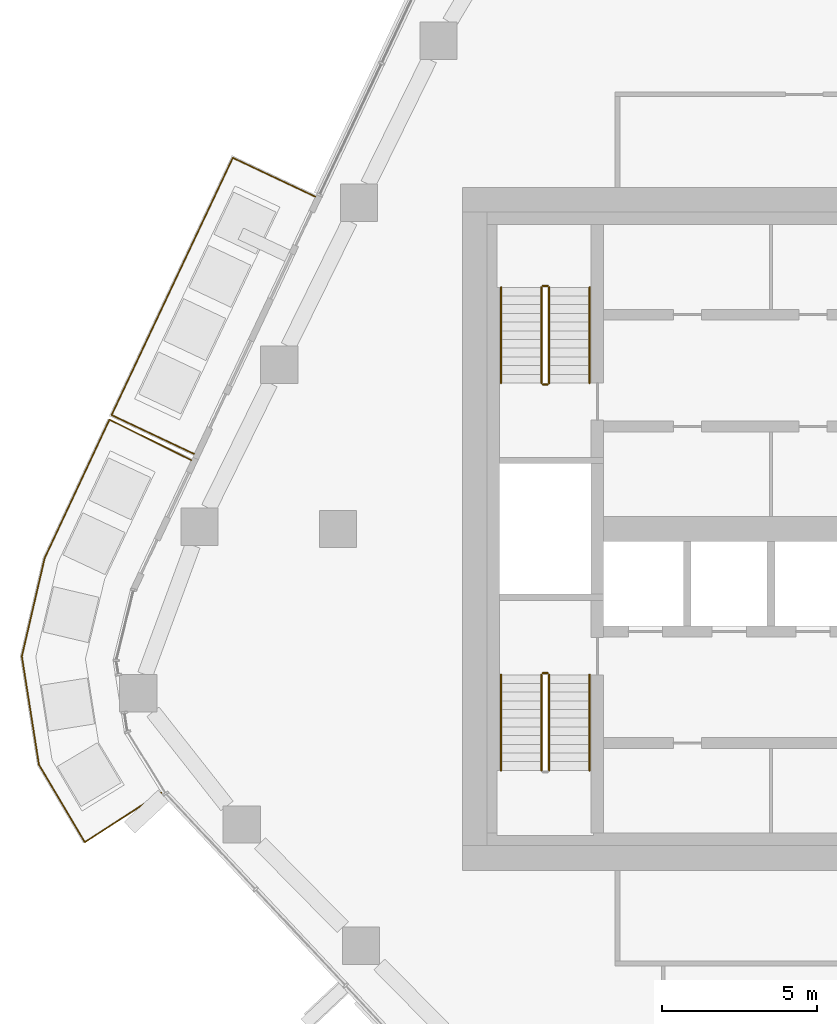
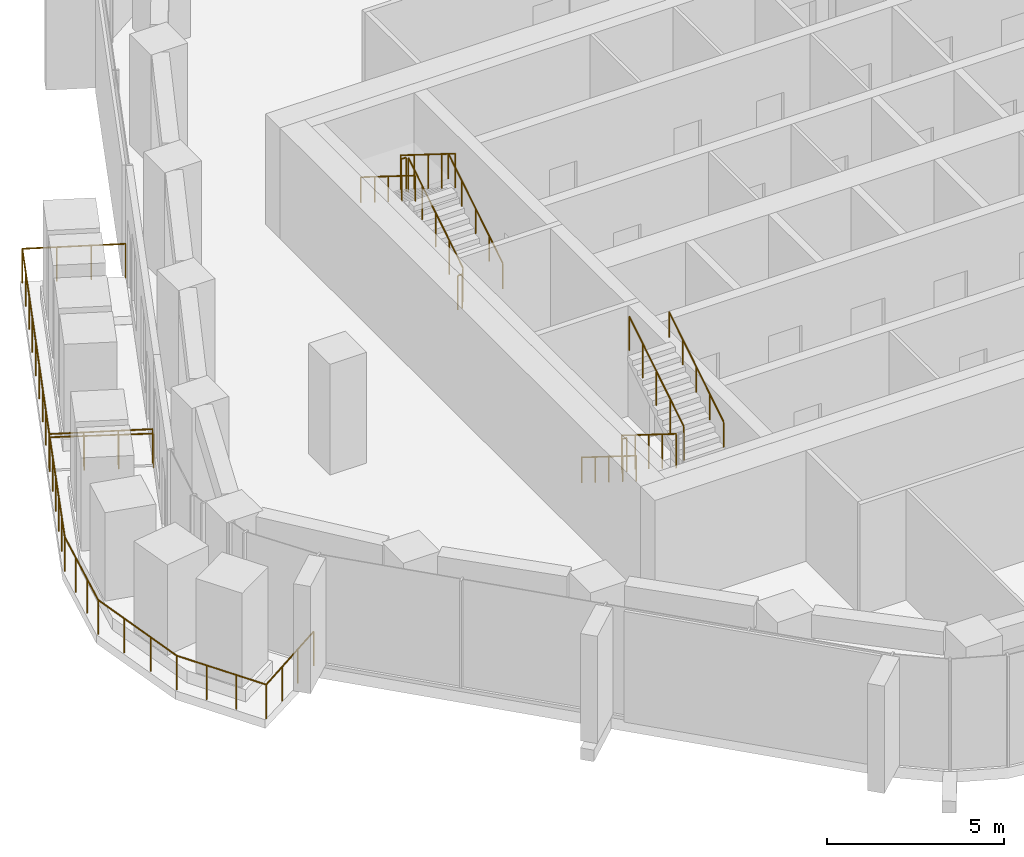
# One storey, part 16 of 18: 13 railings.
"""IFC4 building model written with IfcOpenShell, lengths in metres."""

from ifc_helpers import new_model, si_unit, direction, frame, origin, origin_2d, place, context, subcontext, project, spatial, circle, extrude, material, type_object, element, save


model = new_model("IFC4")

# Units and contexts
model_context = context("Model", 3, precision=1e-05, world=origin(), true_north=direction((0.0, 1.0)))
body_context = subcontext(model_context, "Body", "Model", "MODEL_VIEW")
ifc_project = project(units=[si_unit("LENGTHUNIT", "METRE"), si_unit("AREAUNIT", "SQUARE_METRE"), si_unit("VOLUMEUNIT", "CUBIC_METRE"), si_unit("PLANEANGLEUNIT", "RADIAN"), si_unit("MASSUNIT", "GRAM", prefix="KILO")], contexts=[model_context])

# Site, building, storey
site_placement = place(None, origin())
site = spatial("IfcSite", under=ifc_project, at=site_placement, CompositionType="ELEMENT")
building_placement = place(site_placement, origin())
building = spatial("IfcBuilding", under=site, at=building_placement, Name="Dongbaek Canopy Tower", CompositionType="ELEMENT")
storey_placement = place(building_placement, frame((0.0, 0.0, 162.800048828125)))
storey = spatial("IfcBuildingStorey", under=building, at=storey_placement, Name="L35", CompositionType="ELEMENT", Elevation=162.800048828125)

# Railings
ifc_material_1 = material(Name="Stainless steel", Category="steel")
railing_type_1 = type_object("IfcRailingType", Name="Balcony balustrade 1200", PredefinedType="BALUSTRADE", material=ifc_material_1)
railing_1_placement = place(storey_placement, frame((-18.732666015625, 10.700439453125, 0.0)))
element("IfcRailing", 1, at=railing_1_placement, inside=storey, type_object=railing_type_1, Name="Balcony guard L35 1", PredefinedType="BALUSTRADE", context=body_context, shape_type="SweptSolid", body=[
    extrude(circle(Radius=0.02392578125, at=origin_2d()), frame((0.0, 0.0, 1.17578125), z_axis=(-0.90463040543, 0.426196937544, 0.0), x_axis=(-0.426196937544, -0.90463040543, 0.0)), (0.0, 0.0, 1.0), 2.939697265625),
    extrude(circle(Radius=0.02392578125, at=origin_2d()), frame((-2.659423828125, 1.2529296875, 1.17578125), z_axis=(-0.426229519142, -0.904615054602, 0.0), x_axis=(0.904615054602, -0.426229519142, 0.0)), (0.0, 0.0, 1.0), 9.16064453125),
    extrude(circle(Radius=0.02392578125, at=origin_2d()), frame((-6.56396484375, -7.033935546875, 1.17578125), z_axis=(0.904613472743, -0.426232876408, 0.0), x_axis=(0.426232876408, 0.904613472743, 0.0)), (0.0, 0.0, 1.0), 2.940185546875),
    extrude(circle(Radius=0.02099609375, at=origin_2d()), origin(), (0.0, 0.0, 1.0), 1.15185546875),
    extrude(circle(Radius=0.02099609375, at=origin_2d()), frame((-0.886474609375, 0.417724609375, 0.0)), (0.0, 0.0, 1.0), 1.15185546875),
    extrude(circle(Radius=0.02099609375, at=origin_2d()), frame((-1.77294921875, 0.835205078125, 0.0)), (0.0, 0.0, 1.0), 1.15185546875),
    extrude(circle(Radius=0.02099609375, at=origin_2d()), frame((-2.659423828125, 1.2529296875, 0.0)), (0.0, 0.0, 1.0), 1.15185546875),
    extrude(circle(Radius=0.02099609375, at=origin_2d()), frame((-3.1474609375, 0.217041015625, 0.0)), (0.0, 0.0, 1.0), 1.15185546875),
    extrude(circle(Radius=0.02099609375, at=origin_2d()), frame((-3.635498046875, -0.81884765625, 0.0)), (0.0, 0.0, 1.0), 1.15185546875),
    extrude(circle(Radius=0.02099609375, at=origin_2d()), frame((-4.12353515625, -1.854736328125, 0.0)), (0.0, 0.0, 1.0), 1.15185546875),
    extrude(circle(Radius=0.02099609375, at=origin_2d()), frame((-4.61181640625, -2.890625, 0.0)), (0.0, 0.0, 1.0), 1.15185546875),
    extrude(circle(Radius=0.02099609375, at=origin_2d()), frame((-5.099853515625, -3.92626953125, 0.0)), (0.0, 0.0, 1.0), 1.15185546875),
    extrude(circle(Radius=0.02099609375, at=origin_2d()), frame((-5.587890625, -4.962158203125, 0.0)), (0.0, 0.0, 1.0), 1.15185546875),
    extrude(circle(Radius=0.02099609375, at=origin_2d()), frame((-6.075927734375, -5.998046875, 0.0)), (0.0, 0.0, 1.0), 1.15185546875),
    extrude(circle(Radius=0.02099609375, at=origin_2d()), frame((-6.56396484375, -7.033935546875, 0.0)), (0.0, 0.0, 1.0), 1.15185546875),
    extrude(circle(Radius=0.02099609375, at=origin_2d()), frame((-5.677490234375, -7.45166015625, 0.0)), (0.0, 0.0, 1.0), 1.15185546875),
    extrude(circle(Radius=0.02099609375, at=origin_2d()), frame((-4.790771484375, -7.869384765625, 0.0)), (0.0, 0.0, 1.0), 1.15185546875),
    extrude(circle(Radius=0.02099609375, at=origin_2d()), frame((-3.904296875, -8.287109375, 0.0)), (0.0, 0.0, 1.0), 1.15185546875),
])
railing_2_placement = place(storey_placement, frame((-22.730712890625, 2.21435546875, 0.0)))
element("IfcRailing", 2, at=railing_2_placement, inside=storey, type_object=railing_type_1, Name="Balcony guard L35 3", PredefinedType="BALUSTRADE", context=body_context, shape_type="SweptSolid", body=[
    extrude(circle(Radius=0.02392578125, at=origin_2d()), frame((0.0, 0.0, 1.17578125), z_axis=(-0.895735106679, 0.444588144987, 0.0), x_axis=(-0.444588144987, -0.895735106679, 0.0)), (0.0, 0.0, 1.0), 2.940673828125),
    extrude(circle(Radius=0.02392578125, at=origin_2d()), frame((-2.634033203125, 1.307373046875, 1.17578125), z_axis=(-0.423516750842, -0.905888272226, 0.0), x_axis=(0.905888272226, -0.423516750842, 0.0)), (0.0, 0.0, 1.0), 4.93212890625),
    extrude(circle(Radius=0.02392578125, at=origin_2d()), frame((-4.722900390625, -3.16064453125, 1.17578125), z_axis=(-0.226085073911, -0.974107560465, 0.0), x_axis=(0.974107560465, -0.226085073911, 0.0)), (0.0, 0.0, 1.0), 3.243896484375),
    extrude(circle(Radius=0.02392578125, at=origin_2d()), frame((-5.456298828125, -6.320556640625, 1.17578125), z_axis=(0.155707044404, -0.987803278149, 0.0), x_axis=(0.987803278149, 0.155707044404, 0.0)), (0.0, 0.0, 1.0), 3.532470703125),
    extrude(circle(Radius=0.02392578125, at=origin_2d()), frame((-4.90625, -9.81005859375, 1.17578125), z_axis=(0.509092024836, -0.860712094866, 0.0), x_axis=(0.860712094866, 0.509092024836, 0.0)), (0.0, 0.0, 1.0), 2.90234375),
    extrude(circle(Radius=0.02392578125, at=origin_2d()), frame((-3.4287109375, -12.30810546875, 1.17578125), z_axis=(0.839434258494, 0.543461245782, 0.0), x_axis=(-0.543461245782, 0.839434258494, 0.0)), (0.0, 0.0, 1.0), 2.940673828125),
    extrude(circle(Radius=0.02099609375, at=origin_2d()), origin(), (0.0, 0.0, 1.0), 1.15185546875),
    extrude(circle(Radius=0.02099609375, at=origin_2d()), frame((-0.8779296875, 0.435791015625, 0.0)), (0.0, 0.0, 1.0), 1.15185546875),
    extrude(circle(Radius=0.02099609375, at=origin_2d()), frame((-1.756103515625, 0.87158203125, 0.0)), (0.0, 0.0, 1.0), 1.15185546875),
    extrude(circle(Radius=0.02099609375, at=origin_2d()), frame((-2.634033203125, 1.307373046875, 0.0)), (0.0, 0.0, 1.0), 1.15185546875),
    extrude(circle(Radius=0.02099609375, at=origin_2d()), frame((-3.0517578125, 0.413818359375, 0.0)), (0.0, 0.0, 1.0), 1.15185546875),
    extrude(circle(Radius=0.02099609375, at=origin_2d()), frame((-3.469482421875, -0.479736328125, 0.0)), (0.0, 0.0, 1.0), 1.15185546875),
    extrude(circle(Radius=0.02099609375, at=origin_2d()), frame((-3.887451171875, -1.37353515625, 0.0)), (0.0, 0.0, 1.0), 1.15185546875),
    extrude(circle(Radius=0.02099609375, at=origin_2d()), frame((-4.30517578125, -2.26708984375, 0.0)), (0.0, 0.0, 1.0), 1.15185546875),
    extrude(circle(Radius=0.02099609375, at=origin_2d()), frame((-4.722900390625, -3.16064453125, 0.0)), (0.0, 0.0, 1.0), 1.15185546875),
    extrude(circle(Radius=0.02099609375, at=origin_2d()), frame((-4.96728515625, -4.2138671875, 0.0)), (0.0, 0.0, 1.0), 1.15185546875),
    extrude(circle(Radius=0.02099609375, at=origin_2d()), frame((-5.2119140625, -5.267333984375, 0.0)), (0.0, 0.0, 1.0), 1.15185546875),
    extrude(circle(Radius=0.02099609375, at=origin_2d()), frame((-5.456298828125, -6.320556640625, 0.0)), (0.0, 0.0, 1.0), 1.15185546875),
    extrude(circle(Radius=0.02099609375, at=origin_2d()), frame((-5.27294921875, -7.483642578125, 0.0)), (0.0, 0.0, 1.0), 1.15185546875),
    extrude(circle(Radius=0.02099609375, at=origin_2d()), frame((-5.089599609375, -8.64697265625, 0.0)), (0.0, 0.0, 1.0), 1.15185546875),
    extrude(circle(Radius=0.02099609375, at=origin_2d()), frame((-4.90625, -9.81005859375, 0.0)), (0.0, 0.0, 1.0), 1.15185546875),
    extrude(circle(Radius=0.02099609375, at=origin_2d()), frame((-4.413818359375, -10.642822265625, 0.0)), (0.0, 0.0, 1.0), 1.15185546875),
    extrude(circle(Radius=0.02099609375, at=origin_2d()), frame((-3.921142578125, -11.475341796875, 0.0)), (0.0, 0.0, 1.0), 1.15185546875),
    extrude(circle(Radius=0.02099609375, at=origin_2d()), frame((-3.4287109375, -12.30810546875, 0.0)), (0.0, 0.0, 1.0), 1.15185546875),
    extrude(circle(Radius=0.02099609375, at=origin_2d()), frame((-2.60595703125, -11.775390625, 0.0)), (0.0, 0.0, 1.0), 1.15185546875),
    extrude(circle(Radius=0.02099609375, at=origin_2d()), frame((-1.782958984375, -11.24267578125, 0.0)), (0.0, 0.0, 1.0), 1.15185546875),
    extrude(circle(Radius=0.02099609375, at=origin_2d()), frame((-0.960205078125, -10.7099609375, 0.0)), (0.0, 0.0, 1.0), 1.15185546875),
])
ifc_material_2 = material(Name="Stainless steel tube and balusters", Category="steel")
railing_type_2 = type_object("IfcRailingType", Name="Stair guard 1200", PredefinedType="GUARDRAIL", material=ifc_material_2)
railing_3_placement = place(storey_placement, frame((-11.199951171875, 4.699951171875, 0.175048828125)))
element("IfcRailing", 3, at=railing_3_placement, inside=storey, type_object=railing_type_2, Name="L35 ST-C stair guard 1", PredefinedType="GUARDRAIL", context=body_context, shape_type="SweptSolid", body=[
    extrude(circle(Radius=0.02392578125, at=origin_2d()), frame((0.0, 0.0, 1.17578125), z_axis=(0.0, 0.848028513186, 0.529950602248), x_axis=(-1.0, 0.0, 0.0)), (0.0, 0.0, 1.0), 3.632080078125),
    extrude(circle(Radius=0.02099609375, at=origin_2d()), origin(), (0.0, 0.0, 1.0), 1.15185546875),
    extrude(circle(Radius=0.02099609375, at=origin_2d()), frame((0.0, 0.77001953125, 0.481201171875)), (0.0, 0.0, 1.0), 1.15185546875),
    extrude(circle(Radius=0.02099609375, at=origin_2d()), frame((0.0, 1.5400390625, 0.96240234375)), (0.0, 0.0, 1.0), 1.15185546875),
    extrude(circle(Radius=0.02099609375, at=origin_2d()), frame((0.0, 2.31005859375, 1.443603515625)), (0.0, 0.0, 1.0), 1.15185546875),
    extrude(circle(Radius=0.02099609375, at=origin_2d()), frame((0.0, 3.080078125, 1.9248046875)), (0.0, 0.0, 1.0), 1.15185546875),
])
railing_4_placement = place(storey_placement, frame((-11.25, 7.830078125, 2.099853515625)))
element("IfcRailing", 4, at=railing_4_placement, inside=storey, type_object=railing_type_2, Name="L35 ST-C stair guard 2", PredefinedType="GUARDRAIL", context=body_context, shape_type="SweptSolid", body=[
    extrude(circle(Radius=0.02392578125, at=origin_2d()), frame((0.0, 0.0, 1.17578125), z_axis=(-1.0, 0.0, 0.0), x_axis=(0.0, -1.0, 0.0)), (0.0, 0.0, 1.0), 0.14990234375),
    extrude(circle(Radius=0.02099609375, at=origin_2d()), origin(), (0.0, 0.0, 1.0), 1.15185546875),
    extrude(circle(Radius=0.02099609375, at=origin_2d()), frame((-0.14990234375, 0.0, 0.0)), (0.0, 0.0, 1.0), 1.15185546875),
])
railing_5_placement = place(storey_placement, frame((-11.449951171875, 7.780029296875, 2.27490234375)))
element("IfcRailing", 5, at=railing_5_placement, inside=storey, type_object=railing_type_2, Name="L35 ST-C stair guard 3", PredefinedType="GUARDRAIL", context=body_context, shape_type="SweptSolid", body=[
    extrude(circle(Radius=0.02392578125, at=origin_2d()), frame((0.0, 0.0, 1.17578125), z_axis=(0.0, -0.847998304005, 0.529998940003), x_axis=(1.0, 0.0, 0.0)), (0.0, 0.0, 1.0), 3.632080078125),
    extrude(circle(Radius=0.02099609375, at=origin_2d()), origin(), (0.0, 0.0, 1.0), 1.15185546875),
    extrude(circle(Radius=0.02099609375, at=origin_2d()), frame((0.0, -0.77001953125, 0.481201171875)), (0.0, 0.0, 1.0), 1.15185546875),
    extrude(circle(Radius=0.02099609375, at=origin_2d()), frame((0.0, -1.5400390625, 0.96240234375)), (0.0, 0.0, 1.0), 1.15185546875),
    extrude(circle(Radius=0.02099609375, at=origin_2d()), frame((0.0, -2.31005859375, 1.44384765625)), (0.0, 0.0, 1.0), 1.15185546875),
    extrude(circle(Radius=0.02099609375, at=origin_2d()), frame((0.0, -3.080078125, 1.925048828125)), (0.0, 0.0, 1.0), 1.15185546875),
])
railing_6_placement = place(storey_placement, frame((-11.25, 4.64990234375, 0.0)))
element("IfcRailing", 6, at=railing_6_placement, inside=storey, type_object=railing_type_2, Name="L35 ST-C stair guard 4", PredefinedType="GUARDRAIL", context=body_context, shape_type="SweptSolid", body=[
    extrude(circle(Radius=0.02392578125, at=origin_2d()), frame((0.0, 0.0, 1.17578125), z_axis=(-1.0, 0.0, 0.0), x_axis=(0.0, -1.0, 0.0)), (0.0, 0.0, 1.0), 0.14990234375),
    extrude(circle(Radius=0.02099609375, at=origin_2d()), origin(), (0.0, 0.0, 1.0), 1.15185546875),
    extrude(circle(Radius=0.02099609375, at=origin_2d()), frame((-0.14990234375, 0.0, 0.0)), (0.0, 0.0, 1.0), 1.15185546875),
])
railing_7_placement = place(storey_placement, frame((-11.449951171875, -4.699951171875, 0.175048828125)))
element("IfcRailing", 7, at=railing_7_placement, inside=storey, type_object=railing_type_2, Name="L35 ST-D stair guard 1", PredefinedType="GUARDRAIL", context=body_context, shape_type="SweptSolid", body=[
    extrude(circle(Radius=0.02392578125, at=origin_2d()), frame((0.0, 0.0, 1.17578125), z_axis=(0.0, -0.848028513186, 0.529950602248), x_axis=(1.0, 0.0, 0.0)), (0.0, 0.0, 1.0), 3.632080078125),
    extrude(circle(Radius=0.02099609375, at=origin_2d()), origin(), (0.0, 0.0, 1.0), 1.15185546875),
    extrude(circle(Radius=0.02099609375, at=origin_2d()), frame((0.0, -0.77001953125, 0.481201171875)), (0.0, 0.0, 1.0), 1.15185546875),
    extrude(circle(Radius=0.02099609375, at=origin_2d()), frame((0.0, -1.5400390625, 0.96240234375)), (0.0, 0.0, 1.0), 1.15185546875),
    extrude(circle(Radius=0.02099609375, at=origin_2d()), frame((0.0, -2.31005859375, 1.443603515625)), (0.0, 0.0, 1.0), 1.15185546875),
    extrude(circle(Radius=0.02099609375, at=origin_2d()), frame((0.0, -3.080078125, 1.9248046875)), (0.0, 0.0, 1.0), 1.15185546875),
])
railing_8_placement = place(storey_placement, frame((-11.199951171875, -7.780029296875, 2.27490234375)))
element("IfcRailing", 8, at=railing_8_placement, inside=storey, type_object=railing_type_2, Name="L35 ST-D stair guard 3", PredefinedType="GUARDRAIL", context=body_context, shape_type="SweptSolid", body=[
    extrude(circle(Radius=0.02392578125, at=origin_2d()), frame((0.0, 0.0, 1.17578125), z_axis=(0.0, 0.847998304005, 0.529998940003), x_axis=(-1.0, 0.0, 0.0)), (0.0, 0.0, 1.0), 3.632080078125),
    extrude(circle(Radius=0.02099609375, at=origin_2d()), origin(), (0.0, 0.0, 1.0), 1.15185546875),
    extrude(circle(Radius=0.02099609375, at=origin_2d()), frame((0.0, 0.77001953125, 0.481201171875)), (0.0, 0.0, 1.0), 1.15185546875),
    extrude(circle(Radius=0.02099609375, at=origin_2d()), frame((0.0, 1.5400390625, 0.96240234375)), (0.0, 0.0, 1.0), 1.15185546875),
    extrude(circle(Radius=0.02099609375, at=origin_2d()), frame((0.0, 2.31005859375, 1.44384765625)), (0.0, 0.0, 1.0), 1.15185546875),
    extrude(circle(Radius=0.02099609375, at=origin_2d()), frame((0.0, 3.080078125, 1.925048828125)), (0.0, 0.0, 1.0), 1.15185546875),
])
railing_9_placement = place(storey_placement, frame((-11.39990234375, -4.64990234375, 0.0)))
element("IfcRailing", 9, at=railing_9_placement, inside=storey, type_object=railing_type_2, Name="L35 ST-D stair guard 4", PredefinedType="GUARDRAIL", context=body_context, shape_type="SweptSolid", body=[
    extrude(circle(Radius=0.02392578125, at=origin_2d()), frame((0.0, 0.0, 1.17578125), z_axis=(1.0, 0.0, 0.0), x_axis=(0.0, 1.0, 0.0)), (0.0, 0.0, 1.0), 0.14990234375),
    extrude(circle(Radius=0.02099609375, at=origin_2d()), origin(), (0.0, 0.0, 1.0), 1.15185546875),
    extrude(circle(Radius=0.02099609375, at=origin_2d()), frame((0.14990234375, 0.0, 0.0)), (0.0, 0.0, 1.0), 1.15185546875),
])
ifc_material_3 = material(Name="Stainless steel tube", Category="steel")
railing_type_3 = type_object("IfcRailingType", Name="Stair handrail 900", PredefinedType="HANDRAIL", material=ifc_material_3)
railing_10_placement = place(storey_placement, frame((-9.89990234375, 4.699951171875, 0.175048828125)))
element("IfcRailing", 10, at=railing_10_placement, inside=storey, type_object=railing_type_3, Name="L35 ST-C stair handrail 1", PredefinedType="HANDRAIL", context=body_context, shape_type="SweptSolid", body=[
    extrude(circle(Radius=0.02392578125, at=origin_2d()), frame((0.0, 0.0, 0.8759765625), z_axis=(0.0, 0.848028513186, 0.529950602248), x_axis=(-1.0, 0.0, 0.0)), (0.0, 0.0, 1.0), 3.632080078125),
    extrude(circle(Radius=0.02099609375, at=origin_2d()), origin(), (0.0, 0.0, 1.0), 0.851806640625),
    extrude(circle(Radius=0.02099609375, at=origin_2d()), frame((0.0, 0.77001953125, 0.481201171875)), (0.0, 0.0, 1.0), 0.851806640625),
    extrude(circle(Radius=0.02099609375, at=origin_2d()), frame((0.0, 1.5400390625, 0.96240234375)), (0.0, 0.0, 1.0), 0.851806640625),
    extrude(circle(Radius=0.02099609375, at=origin_2d()), frame((0.0, 2.31005859375, 1.443603515625)), (0.0, 0.0, 1.0), 0.851806640625),
    extrude(circle(Radius=0.02099609375, at=origin_2d()), frame((0.0, 3.080078125, 1.9248046875)), (0.0, 0.0, 1.0), 0.851806640625),
])
railing_11_placement = place(storey_placement, frame((-12.75, 7.780029296875, 2.27490234375)))
element("IfcRailing", 11, at=railing_11_placement, inside=storey, type_object=railing_type_3, Name="L35 ST-C stair handrail 2", PredefinedType="HANDRAIL", context=body_context, shape_type="SweptSolid", body=[
    extrude(circle(Radius=0.02392578125, at=origin_2d()), frame((0.0, 0.0, 0.8759765625), z_axis=(0.0, -0.847998304005, 0.529998940003), x_axis=(1.0, 0.0, 0.0)), (0.0, 0.0, 1.0), 3.632080078125),
    extrude(circle(Radius=0.02099609375, at=origin_2d()), origin(), (0.0, 0.0, 1.0), 0.851806640625),
    extrude(circle(Radius=0.02099609375, at=origin_2d()), frame((0.0, -0.77001953125, 0.481201171875)), (0.0, 0.0, 1.0), 0.851806640625),
    extrude(circle(Radius=0.02099609375, at=origin_2d()), frame((0.0, -1.5400390625, 0.96240234375)), (0.0, 0.0, 1.0), 0.851806640625),
    extrude(circle(Radius=0.02099609375, at=origin_2d()), frame((0.0, -2.31005859375, 1.44384765625)), (0.0, 0.0, 1.0), 0.851806640625),
    extrude(circle(Radius=0.02099609375, at=origin_2d()), frame((0.0, -3.080078125, 1.925048828125)), (0.0, 0.0, 1.0), 0.851806640625),
])
railing_12_placement = place(storey_placement, frame((-12.75, -4.699951171875, 0.175048828125)))
element("IfcRailing", 12, at=railing_12_placement, inside=storey, type_object=railing_type_3, Name="L35 ST-D stair handrail 1", PredefinedType="HANDRAIL", context=body_context, shape_type="SweptSolid", body=[
    extrude(circle(Radius=0.02392578125, at=origin_2d()), frame((0.0, 0.0, 0.8759765625), z_axis=(0.0, -0.848028513186, 0.529950602248), x_axis=(1.0, 0.0, 0.0)), (0.0, 0.0, 1.0), 3.632080078125),
    extrude(circle(Radius=0.02099609375, at=origin_2d()), origin(), (0.0, 0.0, 1.0), 0.851806640625),
    extrude(circle(Radius=0.02099609375, at=origin_2d()), frame((0.0, -0.77001953125, 0.481201171875)), (0.0, 0.0, 1.0), 0.851806640625),
    extrude(circle(Radius=0.02099609375, at=origin_2d()), frame((0.0, -1.5400390625, 0.96240234375)), (0.0, 0.0, 1.0), 0.851806640625),
    extrude(circle(Radius=0.02099609375, at=origin_2d()), frame((0.0, -2.31005859375, 1.443603515625)), (0.0, 0.0, 1.0), 0.851806640625),
    extrude(circle(Radius=0.02099609375, at=origin_2d()), frame((0.0, -3.080078125, 1.9248046875)), (0.0, 0.0, 1.0), 0.851806640625),
])
railing_13_placement = place(storey_placement, frame((-9.89990234375, -7.780029296875, 2.27490234375)))
element("IfcRailing", 13, at=railing_13_placement, inside=storey, type_object=railing_type_3, Name="L35 ST-D stair handrail 2", PredefinedType="HANDRAIL", context=body_context, shape_type="SweptSolid", body=[
    extrude(circle(Radius=0.02392578125, at=origin_2d()), frame((0.0, 0.0, 0.8759765625), z_axis=(0.0, 0.847998304005, 0.529998940003), x_axis=(-1.0, 0.0, 0.0)), (0.0, 0.0, 1.0), 3.632080078125),
    extrude(circle(Radius=0.02099609375, at=origin_2d()), origin(), (0.0, 0.0, 1.0), 0.851806640625),
    extrude(circle(Radius=0.02099609375, at=origin_2d()), frame((0.0, 0.77001953125, 0.481201171875)), (0.0, 0.0, 1.0), 0.851806640625),
    extrude(circle(Radius=0.02099609375, at=origin_2d()), frame((0.0, 1.5400390625, 0.96240234375)), (0.0, 0.0, 1.0), 0.851806640625),
    extrude(circle(Radius=0.02099609375, at=origin_2d()), frame((0.0, 2.31005859375, 1.44384765625)), (0.0, 0.0, 1.0), 0.851806640625),
    extrude(circle(Radius=0.02099609375, at=origin_2d()), frame((0.0, 3.080078125, 1.925048828125)), (0.0, 0.0, 1.0), 0.851806640625),
])

save(model, "model.ifc")
